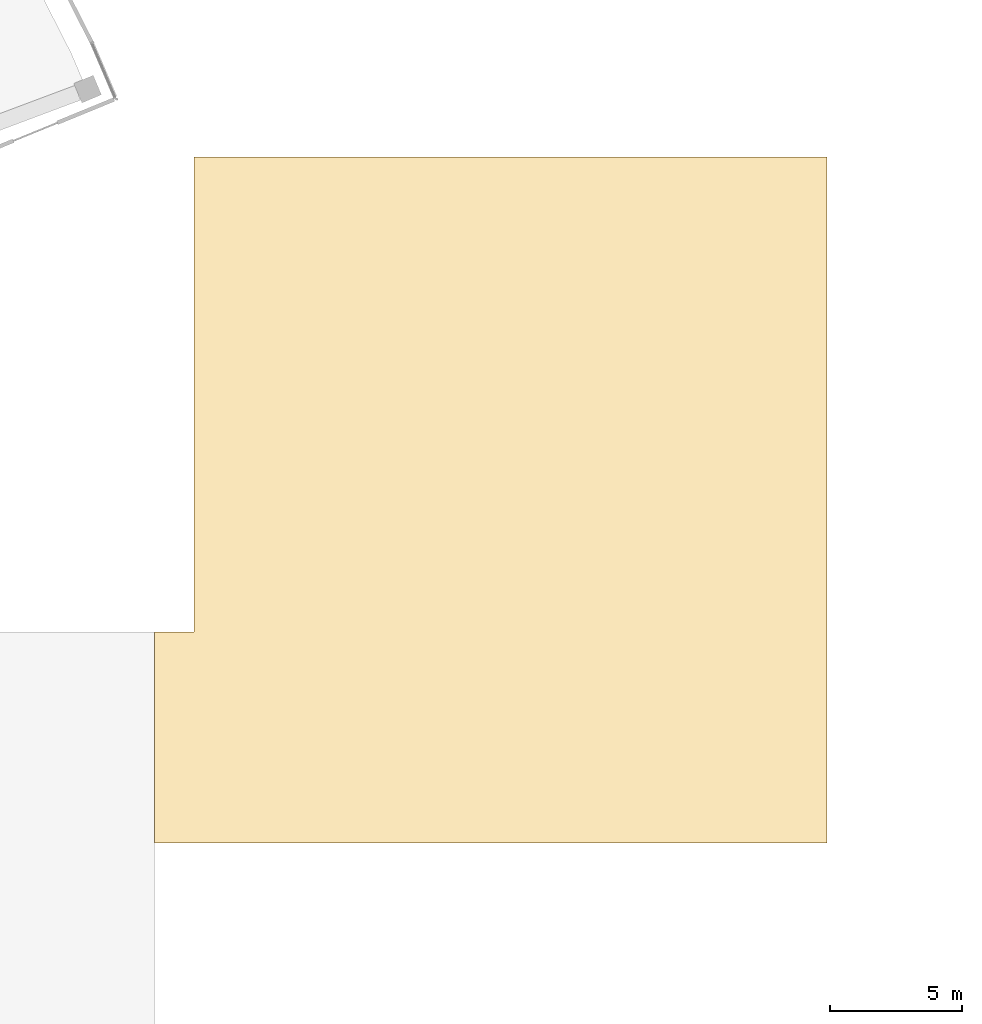
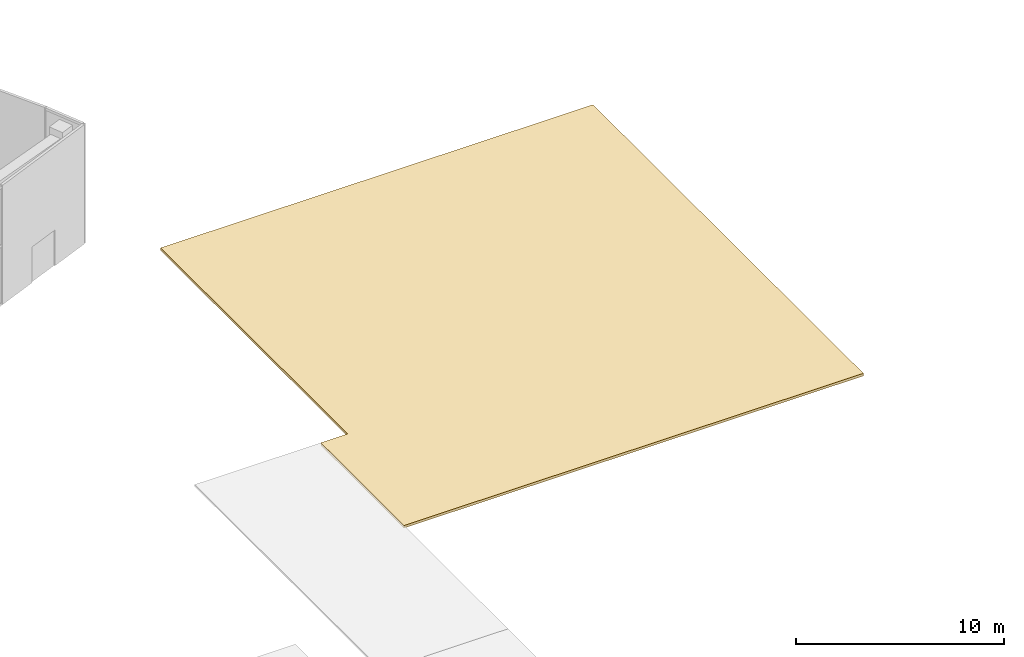
# One storey, part 57 of 60: 1 covering.
"""IFC4 building model written with IfcOpenShell, lengths in metres."""

import ifcopenshell
import ifcopenshell.guid

model = None  # the IFC model being written
_history = None  # IfcOwnerHistory: only IFC2X3 demands one
_inside = {}  # id of a spatial element -> (the spatial element, [elements in it])
_under = {}  # id of a project, library or spatial element -> (it, [spatial elements below it])
_declared = {}  # id of a project -> (the project, [libraries it declares])
_typed = {}  # id of a type object -> (the type object, [elements of that type])
_made_of = {}  # id of a material, layer set ... -> (it, [elements and type objects made of it])


def new_model(schema):
    """Start an empty IFC model of exactly this schema.

    Asked for "IFC4X3", IfcOpenShell would pick the latest addendum, in which some entities
    have other attributes; the version numbers below select the first issue.
    IFC2X3 requires an IfcOwnerHistory on every rooted entity: one is made here for all.
    """
    global model, _history
    if schema == "IFC4X3":
        model = ifcopenshell.file(schema_version=(4, 3, 0, 0))
    else:
        model = ifcopenshell.file(schema=schema)
    _inside.clear()
    _under.clear()
    _declared.clear()
    _typed.clear()
    _made_of.clear()
    _history = None
    if model.schema == "IFC2X3":
        org = make("IfcOrganization", Name="unknown")
        user = make(
            "IfcPersonAndOrganization",
            ThePerson=make("IfcPerson", FamilyName="unknown"),
            TheOrganization=org,
        )
        app = make(
            "IfcApplication",
            ApplicationDeveloper=org,
            Version="unknown",
            ApplicationFullName="unknown",
            ApplicationIdentifier="unknown",
        )
        _history = make(
            "IfcOwnerHistory",
            OwningUser=user,
            OwningApplication=app,
            ChangeAction="ADDED",
            CreationDate=0,
        )
    return model


def make(cls, **values):
    """One entity of the class cls with the attributes given. An attribute that is None is left unset."""
    return model.create_entity(
        cls, **{name: value for name, value in values.items() if value is not None}
    )


def rooted(cls, **values):
    """An entity with a GlobalId (a new one), such as an element, a storey or a relation."""
    return make(cls, GlobalId=ifcopenshell.guid.new(), OwnerHistory=_history, **values)


def si_unit(unit_type, name, prefix=None):
    """IfcSIUnit, for example si_unit("LENGTHUNIT", "METRE", prefix="MILLI")."""
    return make("IfcSIUnit", UnitType=unit_type, Prefix=prefix, Name=name)


def assignment(units):
    """IfcUnitAssignment: the units of a project."""
    return None if units is None else make("IfcUnitAssignment", Units=units)


def point(xyz):
    """IfcCartesianPoint."""
    return None if xyz is None else make("IfcCartesianPoint", Coordinates=xyz)


def direction(xyz):
    """IfcDirection."""
    return None if xyz is None else make("IfcDirection", DirectionRatios=xyz)


def frame(location, z_axis=None, x_axis=None):
    """IfcAxis2Placement3D, a coordinate frame: its origin and axes. An axis left out is left unset."""
    return make(
        "IfcAxis2Placement3D",
        Location=point(location),
        Axis=direction(z_axis),
        RefDirection=direction(x_axis),
    )


def origin():
    """The frame at (0, 0, 0) with its axes left unset."""
    return frame((0.0, 0.0, 0.0))


def place(relative_to, where):
    """IfcLocalPlacement: puts the frame where relative to a parent placement (None: the world)."""
    return make(
        "IfcLocalPlacement", PlacementRelTo=relative_to, RelativePlacement=where
    )


def context(
    kind, dimensions, precision=None, world=None, true_north=None, identifier=None
):
    """IfcGeometricRepresentationContext, for example the 3D "Model" context."""
    return make(
        "IfcGeometricRepresentationContext",
        ContextIdentifier=identifier,
        ContextType=kind,
        CoordinateSpaceDimension=dimensions,
        Precision=precision,
        WorldCoordinateSystem=world,
        TrueNorth=true_north,
    )


def subcontext(parent, identifier, kind, view, scale=None):
    """IfcGeometricRepresentationSubContext, for example "Body" below "Model"."""
    return make(
        "IfcGeometricRepresentationSubContext",
        ContextIdentifier=identifier,
        ContextType=kind,
        ParentContext=parent,
        TargetScale=scale,
        TargetView=view,
    )


def project(units=None, contexts=None):
    """IfcProject with its units and contexts."""
    return rooted(
        "IfcProject",
        Name="project",
        RepresentationContexts=contexts,
        UnitsInContext=assignment(units),
    )


def spatial(cls, under=None, at=None, **own):
    """A site, building, storey or space (cls), placed at a placement, below another one or the project."""
    s = rooted(cls, ObjectPlacement=at, **own)
    if under is not None:
        _under.setdefault(under.id(), (under, []))[1].append(s)
    return s


def polyline(points):
    """IfcPolyline through the points."""
    return make("IfcPolyline", Points=[point(p) for p in points])


def outline(outer, holes=None, kind="AREA"):
    """IfcArbitraryClosedProfileDef: a profile drawn as a closed curve; with holes, ...WithVoids."""
    if holes is None:
        return make("IfcArbitraryClosedProfileDef", ProfileType=kind, OuterCurve=outer)
    return make(
        "IfcArbitraryProfileDefWithVoids",
        ProfileType=kind,
        OuterCurve=outer,
        InnerCurves=holes,
    )


def extrude(swept, where, along, depth):
    """IfcExtrudedAreaSolid: the profile swept, set in the frame where, extruded along a direction by depth."""
    return make(
        "IfcExtrudedAreaSolid",
        SweptArea=swept,
        Position=where,
        ExtrudedDirection=direction(along),
        Depth=depth,
    )


def shape(context_of_items, identifier, shape_type, items):
    """IfcShapeRepresentation: the items that make up one representation, for example the "Body"."""
    return make(
        "IfcShapeRepresentation",
        ContextOfItems=context_of_items,
        RepresentationIdentifier=identifier,
        RepresentationType=shape_type,
        Items=items,
    )


def material(Name=None, Category=None):
    """IfcMaterial."""
    return make("IfcMaterial", Name=Name, Category=Category)


def layer(
    of_material, thickness, ventilated=None, Name=None, Category=None, Priority=None
):
    """IfcMaterialLayer: one layer of a wall or slab, of a material (None: an air gap)."""
    return make(
        "IfcMaterialLayer",
        Material=of_material,
        LayerThickness=thickness,
        IsVentilated=ventilated,
        Name=Name,
        Category=Category,
        Priority=Priority,
    )


def layer_set(layers, Name=None):
    """IfcMaterialLayerSet."""
    return make("IfcMaterialLayerSet", MaterialLayers=layers, LayerSetName=Name)


def made_of(thing, what):
    """Note that an element or type object is made of a material, layer set ...; save() writes the relation."""
    if what is not None:
        _made_of.setdefault(what.id(), (what, []))[1].append(thing)
    return thing


def type_object(cls, material=None, **own):
    """A type object (cls), such as IfcWallType, which elements share."""
    return made_of(rooted(cls, **own), material)


def element(
    cls,
    number,
    at=None,
    inside=None,
    cuts=None,
    type_object=None,
    material=None,
    context=None,
    identifier="Body",
    shape_type=None,
    held_by="IfcProductDefinitionShape",
    body=None,
    shapes=None,
    **own,
):
    """One element of the class cls, such as IfcWall. Its Tag is "e" and its number.

    at: its placement. inside: the storey or other place that contains it. cuts: it is an
    opening in that element (IfcRelVoidsElement). A single representation is given by context,
    identifier, shape_type and body (its items); several are given by shapes. held_by: the class
    of the entity that holds the representations. save() writes the other relations.
    """
    e = rooted(cls, Tag="e%d" % number, ObjectPlacement=at, **own)
    if body is not None:
        shapes = [shape(context, identifier, shape_type, body)]
    if shapes is not None:
        e.Representation = make(held_by, Representations=shapes)
    if inside is not None:
        _inside.setdefault(inside.id(), (inside, []))[1].append(e)
    if cuts is not None:
        rooted(
            "IfcRelVoidsElement", RelatingBuildingElement=cuts, RelatedOpeningElement=e
        )
    if type_object is not None:
        _typed.setdefault(type_object.id(), (type_object, []))[1].append(e)
    return made_of(e, material)


def aggregate(whole, parts):
    """IfcRelAggregates: a whole, such as a stair, and the parts it consists of."""
    return rooted("IfcRelAggregates", RelatingObject=whole, RelatedObjects=parts)


def save(model, path):
    """Write the relations noted so far, then the file.

    IfcRelAggregates (storeys below a building ...), IfcRelContainedInSpatialStructure (elements
    in a storey), IfcRelDefinesByType, IfcRelAssociatesMaterial and IfcRelDeclares: one each for
    every whole, place, type object, material and project.
    """
    for whole, parts in _under.values():
        aggregate(whole, parts)
    for where, things in _inside.values():
        rooted(
            "IfcRelContainedInSpatialStructure",
            RelatedElements=things,
            RelatingStructure=where,
        )
    for kind, things in _typed.values():
        rooted("IfcRelDefinesByType", RelatedObjects=things, RelatingType=kind)
    for what, things in _made_of.values():
        rooted("IfcRelAssociatesMaterial", RelatedObjects=things, RelatingMaterial=what)
    for by, libraries in _declared.values():
        rooted("IfcRelDeclares", RelatingContext=by, RelatedDefinitions=libraries)
    model.write(path)


model = new_model("IFC4")

# Units and contexts
model_context = context("Model", 3, precision=1e-05, world=origin(), true_north=direction((0.0, 1.0)))
body_context = subcontext(model_context, "Body", "Model", "MODEL_VIEW")
ifc_project = project(units=[si_unit("LENGTHUNIT", "METRE"), si_unit("AREAUNIT", "SQUARE_METRE"), si_unit("VOLUMEUNIT", "CUBIC_METRE"), si_unit("PLANEANGLEUNIT", "RADIAN"), si_unit("MASSUNIT", "GRAM", prefix="KILO")], contexts=[model_context])

# Site, building, storey
site_placement = place(None, origin())
site = spatial("IfcSite", under=ifc_project, at=site_placement, CompositionType="ELEMENT")
building_placement = place(site_placement, origin())
building = spatial("IfcBuilding", under=site, at=building_placement, Name="Stone Belt Terrace Tower", CompositionType="ELEMENT")
storey_placement = place(building_placement, origin())
storey = spatial("IfcBuildingStorey", under=building, at=storey_placement, Name="L00", CompositionType="ELEMENT", Elevation=0.0)

# Covering
ifc_material = material(Name="Concrete B25", Category="concrete")
ifc_layer = layer(ifc_material, 0.14990234375)
ifc_layer_set = layer_set([ifc_layer], Name="Hard standing covering 150")
covering_type = type_object("IfcCoveringType", Name="Hard standing covering 150", PredefinedType="FLOORING", material=ifc_layer_set)
covering_placement = place(storey_placement, frame((0.0, 0.0, -0.14990234375)))
element("IfcCovering", 1, at=covering_placement, inside=storey, type_object=covering_type, Name="Loading dock apron", PredefinedType="FLOORING", context=body_context, shape_type="SweptSolid", body=[
    extrude(outline(polyline([(70.5, 0.0), (72.0, 0.0), (96.0, 0.0), (96.0, 26.0), (72.0, 26.0), (72.0, 8.0), (70.5, 8.0), (70.5, 0.0)])), origin(), (0.0, 0.0, 1.0), 0.14990234375),
])

save(model, "model.ifc")
